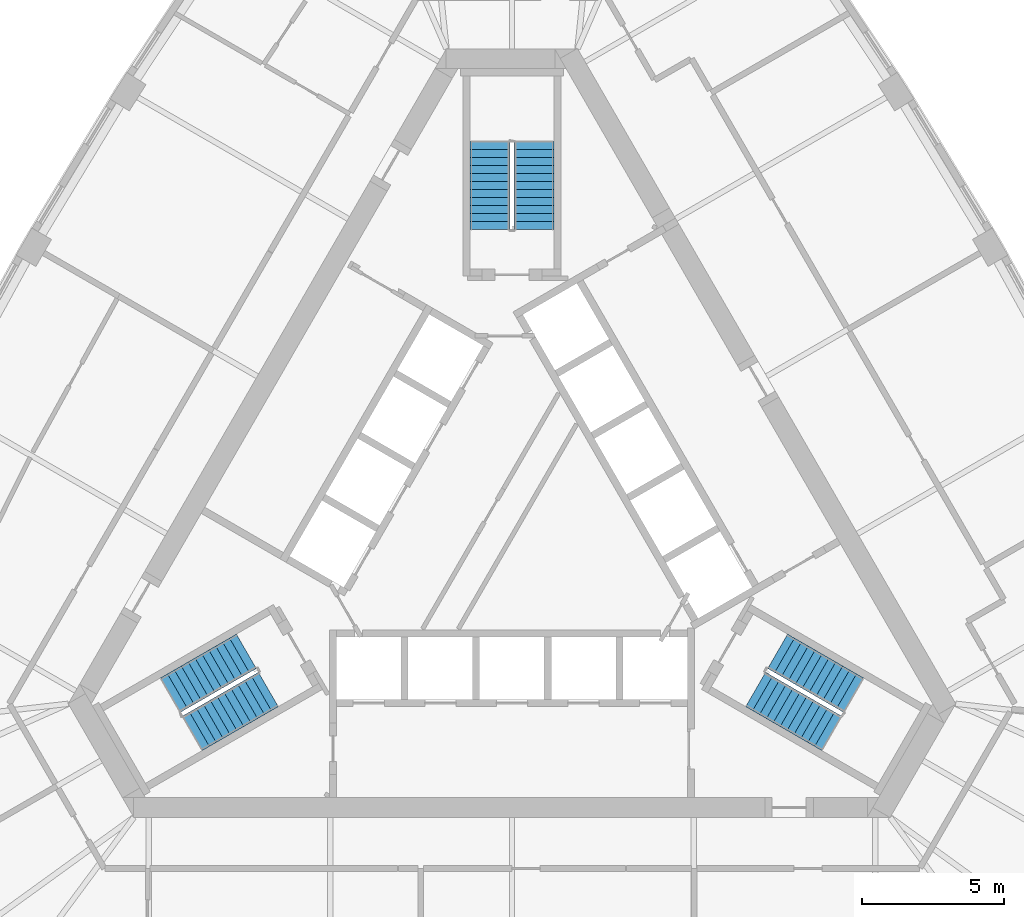
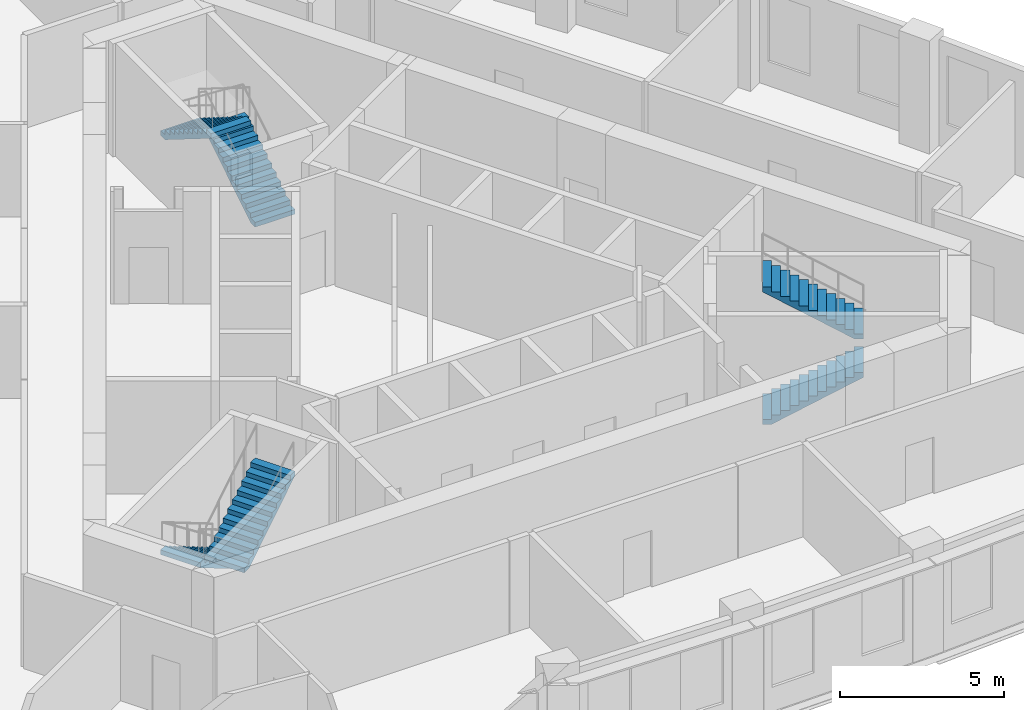
# One storey, part 9 of 10: 6 stair flights, 3 elements without a shape of their own.
"""IFC4 building model written with IfcOpenShell, lengths in metres."""

import ifcopenshell
import ifcopenshell.guid

model = None  # the IFC model being written
_history = None  # IfcOwnerHistory: only IFC2X3 demands one
_inside = {}  # id of a spatial element -> (the spatial element, [elements in it])
_under = {}  # id of a project, library or spatial element -> (it, [spatial elements below it])
_declared = {}  # id of a project -> (the project, [libraries it declares])
_typed = {}  # id of a type object -> (the type object, [elements of that type])
_made_of = {}  # id of a material, layer set ... -> (it, [elements and type objects made of it])


def new_model(schema):
    """Start an empty IFC model of exactly this schema.

    Asked for "IFC4X3", IfcOpenShell would pick the latest addendum, in which some entities
    have other attributes; the version numbers below select the first issue.
    IFC2X3 requires an IfcOwnerHistory on every rooted entity: one is made here for all.
    """
    global model, _history
    if schema == "IFC4X3":
        model = ifcopenshell.file(schema_version=(4, 3, 0, 0))
    else:
        model = ifcopenshell.file(schema=schema)
    _inside.clear()
    _under.clear()
    _declared.clear()
    _typed.clear()
    _made_of.clear()
    _history = None
    if model.schema == "IFC2X3":
        org = make("IfcOrganization", Name="unknown")
        user = make(
            "IfcPersonAndOrganization",
            ThePerson=make("IfcPerson", FamilyName="unknown"),
            TheOrganization=org,
        )
        app = make(
            "IfcApplication",
            ApplicationDeveloper=org,
            Version="unknown",
            ApplicationFullName="unknown",
            ApplicationIdentifier="unknown",
        )
        _history = make(
            "IfcOwnerHistory",
            OwningUser=user,
            OwningApplication=app,
            ChangeAction="ADDED",
            CreationDate=0,
        )
    return model


def make(cls, **values):
    """One entity of the class cls with the attributes given. An attribute that is None is left unset."""
    return model.create_entity(
        cls, **{name: value for name, value in values.items() if value is not None}
    )


def rooted(cls, **values):
    """An entity with a GlobalId (a new one), such as an element, a storey or a relation."""
    return make(cls, GlobalId=ifcopenshell.guid.new(), OwnerHistory=_history, **values)


def si_unit(unit_type, name, prefix=None):
    """IfcSIUnit, for example si_unit("LENGTHUNIT", "METRE", prefix="MILLI")."""
    return make("IfcSIUnit", UnitType=unit_type, Prefix=prefix, Name=name)


def assignment(units):
    """IfcUnitAssignment: the units of a project."""
    return None if units is None else make("IfcUnitAssignment", Units=units)


def point(xyz):
    """IfcCartesianPoint."""
    return None if xyz is None else make("IfcCartesianPoint", Coordinates=xyz)


def direction(xyz):
    """IfcDirection."""
    return None if xyz is None else make("IfcDirection", DirectionRatios=xyz)


def frame(location, z_axis=None, x_axis=None):
    """IfcAxis2Placement3D, a coordinate frame: its origin and axes. An axis left out is left unset."""
    return make(
        "IfcAxis2Placement3D",
        Location=point(location),
        Axis=direction(z_axis),
        RefDirection=direction(x_axis),
    )


def origin():
    """The frame at (0, 0, 0) with its axes left unset."""
    return frame((0.0, 0.0, 0.0))


def place(relative_to, where):
    """IfcLocalPlacement: puts the frame where relative to a parent placement (None: the world)."""
    return make(
        "IfcLocalPlacement", PlacementRelTo=relative_to, RelativePlacement=where
    )


def context(
    kind, dimensions, precision=None, world=None, true_north=None, identifier=None
):
    """IfcGeometricRepresentationContext, for example the 3D "Model" context."""
    return make(
        "IfcGeometricRepresentationContext",
        ContextIdentifier=identifier,
        ContextType=kind,
        CoordinateSpaceDimension=dimensions,
        Precision=precision,
        WorldCoordinateSystem=world,
        TrueNorth=true_north,
    )


def subcontext(parent, identifier, kind, view, scale=None):
    """IfcGeometricRepresentationSubContext, for example "Body" below "Model"."""
    return make(
        "IfcGeometricRepresentationSubContext",
        ContextIdentifier=identifier,
        ContextType=kind,
        ParentContext=parent,
        TargetScale=scale,
        TargetView=view,
    )


def project(units=None, contexts=None):
    """IfcProject with its units and contexts."""
    return rooted(
        "IfcProject",
        Name="project",
        RepresentationContexts=contexts,
        UnitsInContext=assignment(units),
    )


def spatial(cls, under=None, at=None, **own):
    """A site, building, storey or space (cls), placed at a placement, below another one or the project."""
    s = rooted(cls, ObjectPlacement=at, **own)
    if under is not None:
        _under.setdefault(under.id(), (under, []))[1].append(s)
    return s


def polyline(points):
    """IfcPolyline through the points."""
    return make("IfcPolyline", Points=[point(p) for p in points])


def outline(outer, holes=None, kind="AREA"):
    """IfcArbitraryClosedProfileDef: a profile drawn as a closed curve; with holes, ...WithVoids."""
    if holes is None:
        return make("IfcArbitraryClosedProfileDef", ProfileType=kind, OuterCurve=outer)
    return make(
        "IfcArbitraryProfileDefWithVoids",
        ProfileType=kind,
        OuterCurve=outer,
        InnerCurves=holes,
    )


def extrude(swept, where, along, depth):
    """IfcExtrudedAreaSolid: the profile swept, set in the frame where, extruded along a direction by depth."""
    return make(
        "IfcExtrudedAreaSolid",
        SweptArea=swept,
        Position=where,
        ExtrudedDirection=direction(along),
        Depth=depth,
    )


def shape(context_of_items, identifier, shape_type, items):
    """IfcShapeRepresentation: the items that make up one representation, for example the "Body"."""
    return make(
        "IfcShapeRepresentation",
        ContextOfItems=context_of_items,
        RepresentationIdentifier=identifier,
        RepresentationType=shape_type,
        Items=items,
    )


def material(Name=None, Category=None):
    """IfcMaterial."""
    return make("IfcMaterial", Name=Name, Category=Category)


def made_of(thing, what):
    """Note that an element or type object is made of a material, layer set ...; save() writes the relation."""
    if what is not None:
        _made_of.setdefault(what.id(), (what, []))[1].append(thing)
    return thing


def type_object(cls, material=None, **own):
    """A type object (cls), such as IfcWallType, which elements share."""
    return made_of(rooted(cls, **own), material)


def element(
    cls,
    number,
    at=None,
    inside=None,
    cuts=None,
    type_object=None,
    material=None,
    context=None,
    identifier="Body",
    shape_type=None,
    held_by="IfcProductDefinitionShape",
    body=None,
    shapes=None,
    **own,
):
    """One element of the class cls, such as IfcWall. Its Tag is "e" and its number.

    at: its placement. inside: the storey or other place that contains it. cuts: it is an
    opening in that element (IfcRelVoidsElement). A single representation is given by context,
    identifier, shape_type and body (its items); several are given by shapes. held_by: the class
    of the entity that holds the representations. save() writes the other relations.
    """
    e = rooted(cls, Tag="e%d" % number, ObjectPlacement=at, **own)
    if body is not None:
        shapes = [shape(context, identifier, shape_type, body)]
    if shapes is not None:
        e.Representation = make(held_by, Representations=shapes)
    if inside is not None:
        _inside.setdefault(inside.id(), (inside, []))[1].append(e)
    if cuts is not None:
        rooted(
            "IfcRelVoidsElement", RelatingBuildingElement=cuts, RelatedOpeningElement=e
        )
    if type_object is not None:
        _typed.setdefault(type_object.id(), (type_object, []))[1].append(e)
    return made_of(e, material)


def aggregate(whole, parts):
    """IfcRelAggregates: a whole, such as a stair, and the parts it consists of."""
    return rooted("IfcRelAggregates", RelatingObject=whole, RelatedObjects=parts)


def save(model, path):
    """Write the relations noted so far, then the file.

    IfcRelAggregates (storeys below a building ...), IfcRelContainedInSpatialStructure (elements
    in a storey), IfcRelDefinesByType, IfcRelAssociatesMaterial and IfcRelDeclares: one each for
    every whole, place, type object, material and project.
    """
    for whole, parts in _under.values():
        aggregate(whole, parts)
    for where, things in _inside.values():
        rooted(
            "IfcRelContainedInSpatialStructure",
            RelatedElements=things,
            RelatingStructure=where,
        )
    for kind, things in _typed.values():
        rooted("IfcRelDefinesByType", RelatedObjects=things, RelatingType=kind)
    for what, things in _made_of.values():
        rooted("IfcRelAssociatesMaterial", RelatedObjects=things, RelatingMaterial=what)
    for by, libraries in _declared.values():
        rooted("IfcRelDeclares", RelatingContext=by, RelatedDefinitions=libraries)
    model.write(path)


model = new_model("IFC4")

# Units and contexts
model_context = context("Model", 3, precision=1e-05, world=origin(), true_north=direction((0.0, 1.0)))
body_context = subcontext(model_context, "Body", "Model", "MODEL_VIEW")
ifc_project = project(units=[si_unit("LENGTHUNIT", "METRE"), si_unit("AREAUNIT", "SQUARE_METRE"), si_unit("VOLUMEUNIT", "CUBIC_METRE"), si_unit("PLANEANGLEUNIT", "RADIAN"), si_unit("MASSUNIT", "GRAM", prefix="KILO")], contexts=[model_context])

# Site, building, storey
site_placement = place(None, origin())
site = spatial("IfcSite", under=ifc_project, at=site_placement, CompositionType="ELEMENT")
building_placement = place(site_placement, origin())
building = spatial("IfcBuilding", under=site, at=building_placement, Name="Mestral Congress Tower", CompositionType="ELEMENT")
storey_placement = place(building_placement, frame((0.0, 0.0, 222.60009765625)))
storey = spatial("IfcBuildingStorey", under=building, at=storey_placement, Name="L52", CompositionType="ELEMENT", Elevation=222.60009765625)

# Stair, stair flights
ifc_material = material(Name="Concrete C60/75", Category="concrete")
stair_type = type_object("IfcStairType", Name="Exit stair 1400", PredefinedType="HALF_TURN_STAIR", material=ifc_material)
placement = place(storey_placement, origin())
stair_1 = element("IfcStair", 1, at=placement, inside=storey, type_object=stair_type, Name="L52 ST1", PredefinedType="HALF_TURN_STAIR")
stair_flight_type = type_object("IfcStairFlightType", Name="Exit stair flight 1400", PredefinedType="STRAIGHT", material=ifc_material)
stair_flight_1_placement = place(storey_placement, frame((8.575927734375, -5.84619140625, 0.0), z_axis=(0.0, 0.0, 1.0), x_axis=(0.866025403784, -0.5, 0.0)))
stair_flight_1 = element("IfcStairFlight", 2, at=stair_flight_1_placement, type_object=stair_flight_type, Name="ST1 flight 1", NumberOfRisers=12, NumberOfTreads=11, PredefinedType="STRAIGHT", RiserHeight=0.175, TreadLength=0.28, context=body_context, shape_type="SweptSolid", body=[
    extrude(outline(polyline([(0.0, 0.0), (0.0, 0.175048828125), (0.280029296875, 0.175048828125), (0.280029296875, 0.35009765625), (0.56005859375, 0.35009765625), (0.56005859375, 0.52490234375), (0.840087890625, 0.52490234375), (0.840087890625, 0.699951171875), (1.1201171875, 0.699951171875), (1.1201171875, 0.875), (1.39990234375, 0.875), (1.39990234375, 1.050048828125), (1.679931640625, 1.050048828125), (1.679931640625, 1.22509765625), (1.9599609375, 1.22509765625), (1.9599609375, 1.39990234375), (2.239990234375, 1.39990234375), (2.239990234375, 1.574951171875), (2.52001953125, 1.574951171875), (2.52001953125, 1.75), (2.800048828125, 1.75), (2.800048828125, 1.925048828125), (3.080078125, 1.925048828125), (3.080078125, 2.10009765625), (3.080078125, 1.748291015625), (0.28271484375, 0.0), (0.0, 0.0)])), frame((0.0, 0.699951171875, 0.0), z_axis=(0.0, -1.0, 0.0), x_axis=(1.0, 0.0, 0.0)), (0.0, 0.0, 1.0), 1.39990234375),
])
stair_flight_2_placement = place(storey_placement, frame((12.018310546875, -6.0439453125, 2.099853515625), z_axis=(0.0, 0.0, 1.0), x_axis=(-0.866025403784, 0.5, 0.0)))
stair_flight_2 = element("IfcStairFlight", 3, at=stair_flight_2_placement, type_object=stair_flight_type, Name="ST1 flight 2", NumberOfRisers=12, NumberOfTreads=11, PredefinedType="STRAIGHT", RiserHeight=0.175, TreadLength=0.28, context=body_context, shape_type="SweptSolid", body=[
    extrude(outline(polyline([(0.0, 0.0), (0.0, 0.175048828125), (0.280029296875, 0.175048828125), (0.280029296875, 0.35009765625), (0.56005859375, 0.35009765625), (0.56005859375, 0.52490234375), (0.840087890625, 0.52490234375), (0.840087890625, 0.699951171875), (1.1201171875, 0.699951171875), (1.1201171875, 0.875), (1.39990234375, 0.875), (1.39990234375, 1.050048828125), (1.679931640625, 1.050048828125), (1.679931640625, 1.22509765625), (1.9599609375, 1.22509765625), (1.9599609375, 1.39990234375), (2.239990234375, 1.39990234375), (2.239990234375, 1.574951171875), (2.52001953125, 1.574951171875), (2.52001953125, 1.75), (2.800048828125, 1.75), (2.800048828125, 1.925048828125), (3.080078125, 1.925048828125), (3.080078125, 2.10009765625), (3.080078125, 1.748291015625), (0.28271484375, 0.0), (0.0, 0.0)])), frame((0.0, 0.699951171875, 0.0), z_axis=(0.0, -1.0, 0.0), x_axis=(1.0, 0.0, 0.0)), (0.0, 0.0, 1.0), 1.39990234375),
])
aggregate(stair_1, [stair_flight_1, stair_flight_2])

stair_2 = element("IfcStair", 4, at=placement, inside=storey, type_object=stair_type, Name="L52 ST2", PredefinedType="HALF_TURN_STAIR")
stair_flight_3_placement = place(storey_placement, frame((0.77490234375, 10.35009765625, 0.0), z_axis=(0.0, 0.0, 1.0), x_axis=(0.0, 1.0, 0.0)))
stair_flight_3 = element("IfcStairFlight", 5, at=stair_flight_3_placement, type_object=stair_flight_type, Name="ST2 flight 1", NumberOfRisers=12, NumberOfTreads=11, PredefinedType="STRAIGHT", RiserHeight=0.175, TreadLength=0.28, context=body_context, shape_type="SweptSolid", body=[
    extrude(outline(polyline([(0.0, 0.0), (0.0, 0.175048828125), (0.280029296875, 0.175048828125), (0.280029296875, 0.35009765625), (0.56005859375, 0.35009765625), (0.56005859375, 0.52490234375), (0.840087890625, 0.52490234375), (0.840087890625, 0.699951171875), (1.1201171875, 0.699951171875), (1.1201171875, 0.875), (1.39990234375, 0.875), (1.39990234375, 1.050048828125), (1.679931640625, 1.050048828125), (1.679931640625, 1.22509765625), (1.9599609375, 1.22509765625), (1.9599609375, 1.39990234375), (2.239990234375, 1.39990234375), (2.239990234375, 1.574951171875), (2.52001953125, 1.574951171875), (2.52001953125, 1.75), (2.800048828125, 1.75), (2.800048828125, 1.925048828125), (3.080078125, 1.925048828125), (3.080078125, 2.10009765625), (3.080078125, 1.748291015625), (0.28271484375, 0.0), (0.0, 0.0)])), frame((0.0, 0.699951171875, 0.0), z_axis=(0.0, -1.0, 0.0), x_axis=(1.0, 0.0, 0.0)), (0.0, 0.0, 1.0), 1.39990234375),
])
stair_flight_4_placement = place(storey_placement, frame((-0.77490234375, 13.429931640625, 2.099853515625), z_axis=(0.0, 0.0, 1.0), x_axis=(0.0, -1.0, 0.0)))
stair_flight_4 = element("IfcStairFlight", 6, at=stair_flight_4_placement, type_object=stair_flight_type, Name="ST2 flight 2", NumberOfRisers=12, NumberOfTreads=11, PredefinedType="STRAIGHT", RiserHeight=0.175, TreadLength=0.28, context=body_context, shape_type="SweptSolid", body=[
    extrude(outline(polyline([(0.0, 0.0), (0.0, 0.175048828125), (0.280029296875, 0.175048828125), (0.280029296875, 0.35009765625), (0.56005859375, 0.35009765625), (0.56005859375, 0.52490234375), (0.840087890625, 0.52490234375), (0.840087890625, 0.699951171875), (1.1201171875, 0.699951171875), (1.1201171875, 0.875), (1.39990234375, 0.875), (1.39990234375, 1.050048828125), (1.679931640625, 1.050048828125), (1.679931640625, 1.22509765625), (1.9599609375, 1.22509765625), (1.9599609375, 1.39990234375), (2.239990234375, 1.39990234375), (2.239990234375, 1.574951171875), (2.52001953125, 1.574951171875), (2.52001953125, 1.75), (2.800048828125, 1.75), (2.800048828125, 1.925048828125), (3.080078125, 1.925048828125), (3.080078125, 2.10009765625), (3.080078125, 1.748291015625), (0.28271484375, 0.0), (0.0, 0.0)])), frame((0.0, 0.699951171875, 0.0), z_axis=(0.0, -1.0, 0.0), x_axis=(1.0, 0.0, 0.0)), (0.0, 0.0, 1.0), 1.39990234375),
])
aggregate(stair_2, [stair_flight_3, stair_flight_4])

stair_3 = element("IfcStair", 7, at=placement, inside=storey, type_object=stair_type, Name="L52 ST3", PredefinedType="HALF_TURN_STAIR")
stair_flight_5_placement = place(storey_placement, frame((-9.350830078125, -4.50390625, 0.0), z_axis=(0.0, 0.0, 1.0), x_axis=(-0.866025403784, -0.5, 0.0)))
stair_flight_5 = element("IfcStairFlight", 8, at=stair_flight_5_placement, type_object=stair_flight_type, Name="ST3 flight 1", NumberOfRisers=12, NumberOfTreads=11, PredefinedType="STRAIGHT", RiserHeight=0.175, TreadLength=0.28, context=body_context, shape_type="SweptSolid", body=[
    extrude(outline(polyline([(0.0, 0.0), (0.0, 0.175048828125), (0.280029296875, 0.175048828125), (0.280029296875, 0.35009765625), (0.56005859375, 0.35009765625), (0.56005859375, 0.52490234375), (0.840087890625, 0.52490234375), (0.840087890625, 0.699951171875), (1.1201171875, 0.699951171875), (1.1201171875, 0.875), (1.39990234375, 0.875), (1.39990234375, 1.050048828125), (1.679931640625, 1.050048828125), (1.679931640625, 1.22509765625), (1.9599609375, 1.22509765625), (1.9599609375, 1.39990234375), (2.239990234375, 1.39990234375), (2.239990234375, 1.574951171875), (2.52001953125, 1.574951171875), (2.52001953125, 1.75), (2.800048828125, 1.75), (2.800048828125, 1.925048828125), (3.080078125, 1.925048828125), (3.080078125, 2.10009765625), (3.080078125, 1.748291015625), (0.28271484375, 0.0), (0.0, 0.0)])), frame((0.0, 0.699951171875, 0.0), z_axis=(0.0, -1.0, 0.0), x_axis=(1.0, 0.0, 0.0)), (0.0, 0.0, 1.0), 1.39990234375),
])
stair_flight_6_placement = place(storey_placement, frame((-11.2431640625, -7.38623046875, 2.099853515625), z_axis=(0.0, 0.0, 1.0), x_axis=(0.866025403784, 0.5, 0.0)))
stair_flight_6 = element("IfcStairFlight", 9, at=stair_flight_6_placement, type_object=stair_flight_type, Name="ST3 flight 2", NumberOfRisers=12, NumberOfTreads=11, PredefinedType="STRAIGHT", RiserHeight=0.175, TreadLength=0.28, context=body_context, shape_type="SweptSolid", body=[
    extrude(outline(polyline([(0.0, 0.0), (0.0, 0.175048828125), (0.280029296875, 0.175048828125), (0.280029296875, 0.35009765625), (0.56005859375, 0.35009765625), (0.56005859375, 0.52490234375), (0.840087890625, 0.52490234375), (0.840087890625, 0.699951171875), (1.1201171875, 0.699951171875), (1.1201171875, 0.875), (1.39990234375, 0.875), (1.39990234375, 1.050048828125), (1.679931640625, 1.050048828125), (1.679931640625, 1.22509765625), (1.9599609375, 1.22509765625), (1.9599609375, 1.39990234375), (2.239990234375, 1.39990234375), (2.239990234375, 1.574951171875), (2.52001953125, 1.574951171875), (2.52001953125, 1.75), (2.800048828125, 1.75), (2.800048828125, 1.925048828125), (3.080078125, 1.925048828125), (3.080078125, 2.10009765625), (3.080078125, 1.748291015625), (0.28271484375, 0.0), (0.0, 0.0)])), frame((0.0, 0.699951171875, 0.0), z_axis=(0.0, -1.0, 0.0), x_axis=(1.0, 0.0, 0.0)), (0.0, 0.0, 1.0), 1.39990234375),
])
aggregate(stair_3, [stair_flight_5, stair_flight_6])

save(model, "model.ifc")
